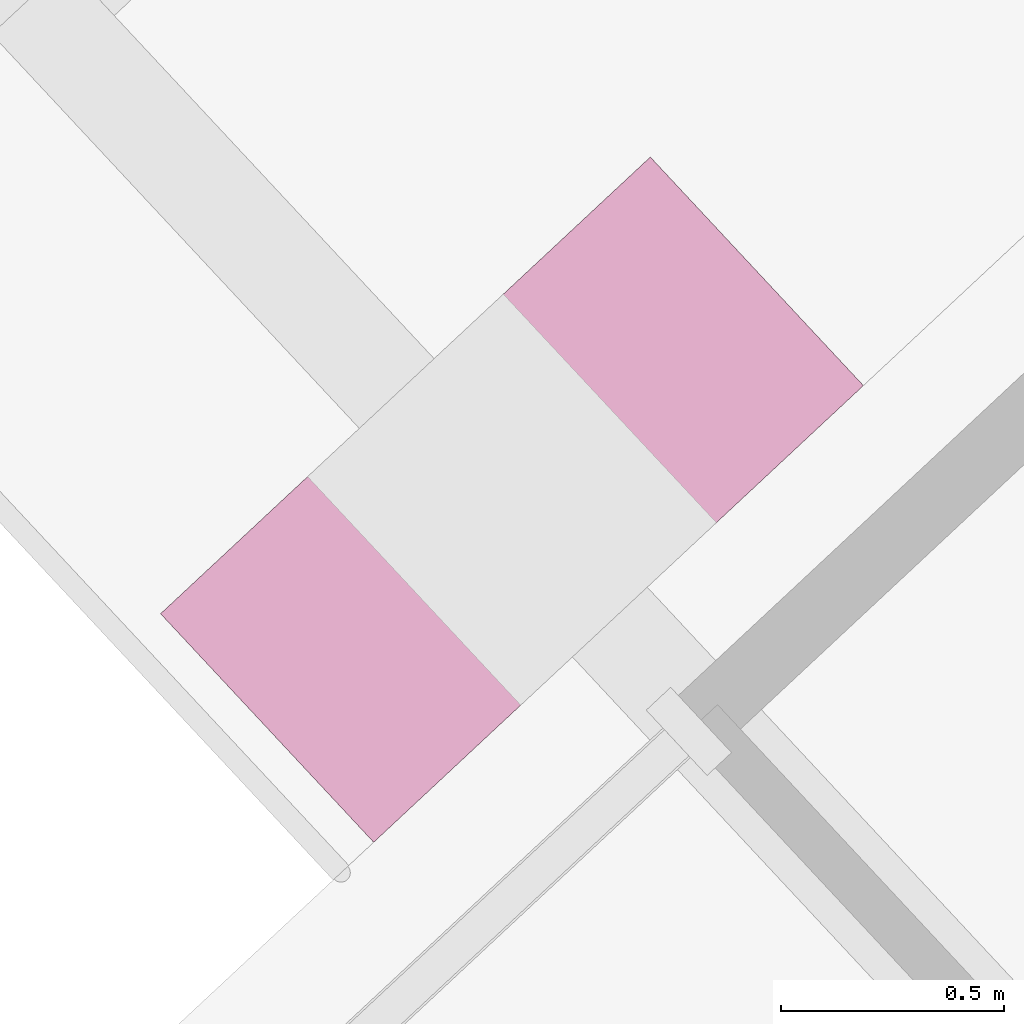
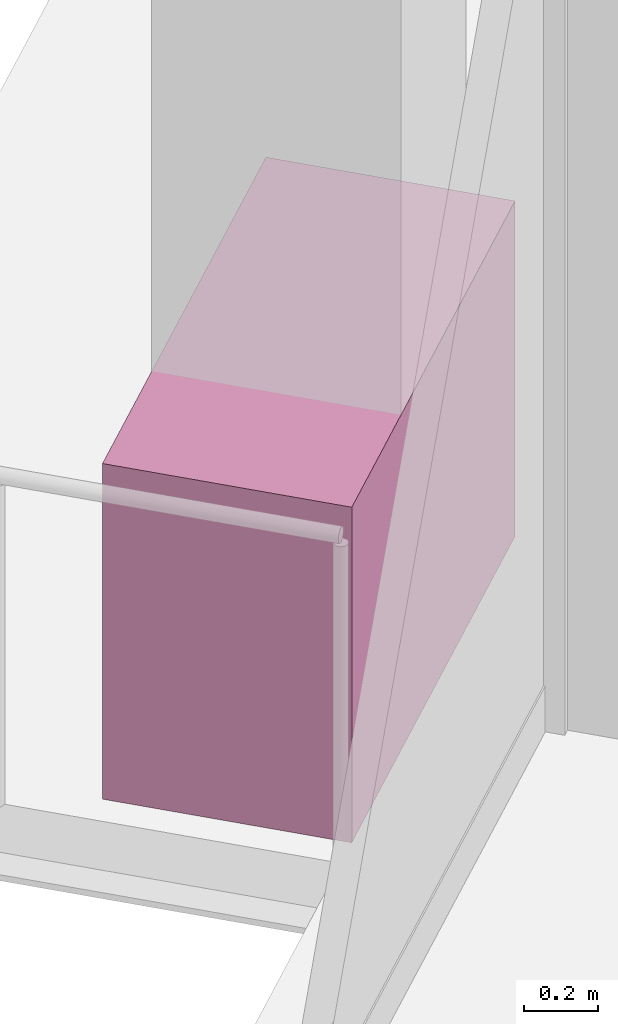
# One storey, part 18 of 19: 1 furniture element.
"""IFC4 building model written with IfcOpenShell, lengths in metres."""

from ifc_helpers import new_model, si_unit, direction, frame, origin, origin_2d, place, context, subcontext, project, spatial, rectangle, extrude, source, transform, mapped, material, type_object, element, save


model = new_model("IFC4")

# Units and contexts
model_context = context("Model", 3, precision=1e-05, world=origin(), true_north=direction((0.0, 1.0)))
body_context = subcontext(model_context, "Body", "Model", "MODEL_VIEW")
ifc_project = project(units=[si_unit("LENGTHUNIT", "METRE"), si_unit("AREAUNIT", "SQUARE_METRE"), si_unit("VOLUMEUNIT", "CUBIC_METRE"), si_unit("PLANEANGLEUNIT", "RADIAN"), si_unit("MASSUNIT", "GRAM", prefix="KILO")], contexts=[model_context])

# Site, building, storey
site_placement = place(None, origin())
site = spatial("IfcSite", under=ifc_project, at=site_placement, CompositionType="ELEMENT")
building_placement = place(site_placement, origin())
building = spatial("IfcBuilding", under=site, at=building_placement, Name="Triune Harvest Tower", CompositionType="ELEMENT")
storey_placement = place(building_placement, frame((0.0, 0.0, 109.10009765625)))
storey = spatial("IfcBuildingStorey", under=building, at=storey_placement, Name="L27", CompositionType="ELEMENT", Elevation=109.10009765625)

# Furniture
ifc_material = material(Name="Concrete 40 MPa", Category="concrete")
furniture_type = type_object("IfcFurnitureType", Name="PB-1 structural planter", AssemblyPlace="SITE", PredefinedType="USERDEFINED", material=ifc_material)
shared_shape = source(origin(), body_context, "Body", "SweptSolid", [
    extrude(rectangle(XDim=1.5, YDim=0.699951171875, at=origin_2d()), origin(), (0.0, 0.0, 1.0), 1.10009765625),
])
furniture_placement = place(storey_placement, frame((-15.444091796875, 16.60107421875, -0.000244140625), z_axis=(0.0, 0.0, 1.0), x_axis=(-0.73135336394, -0.681998722179, 0.0)))
element("IfcFurniture", 1, at=furniture_placement, inside=storey, type_object=furniture_type, Name="Planter B3-F3 L27.6b", ObjectType="PLANTER", PredefinedType="USERDEFINED", context=body_context, shape_type="MappedRepresentation", body=[
    mapped(shared_shape, transform((0.0, 0.0, 0.0), scale=1.0)),
])

save(model, "model.ifc")
